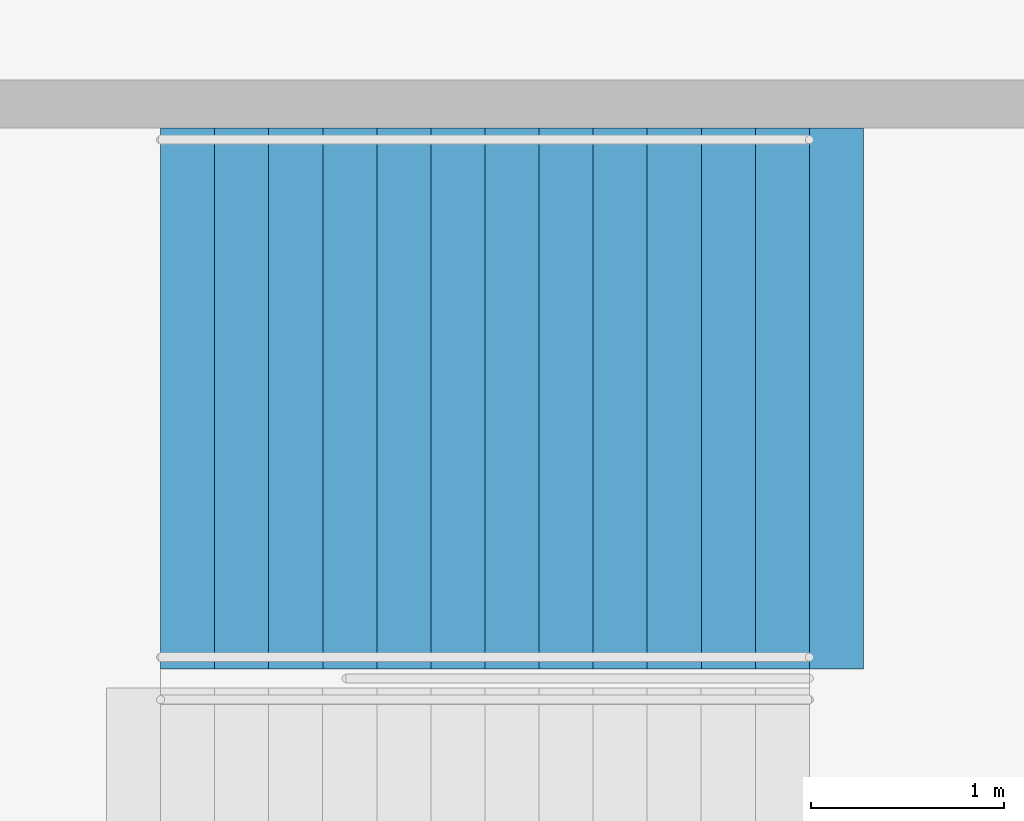
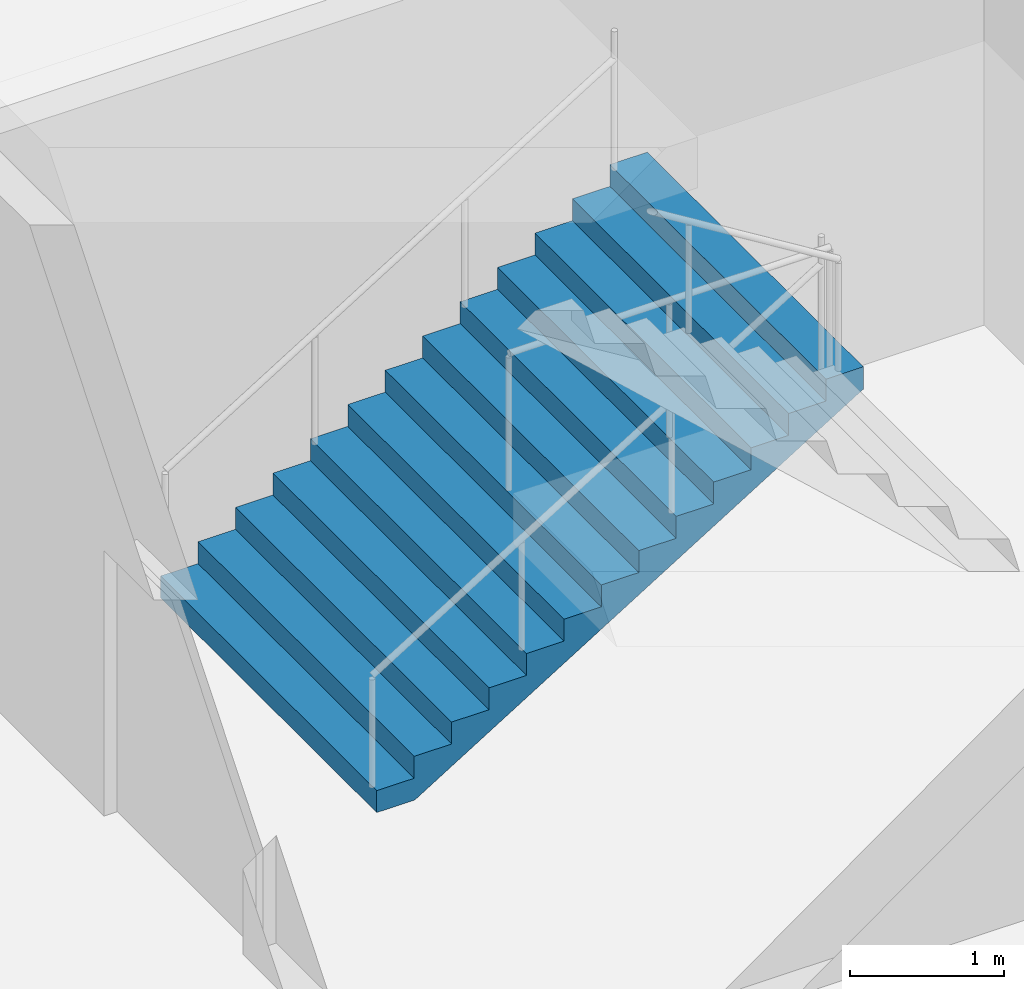
# One storey, part 107 of 175: 1 stair flight, 1 element without a shape of its own.
"""IFC4 building model written with IfcOpenShell, lengths in metres."""

from ifc_helpers import new_model, si_unit, direction, frame, origin, place, context, subcontext, project, spatial, faceted_brep, material, type_object, element, aggregate, save


model = new_model("IFC4")

# Units and contexts
model_context = context("Model", 3, precision=1e-05, world=origin(), true_north=direction((0.0, 1.0)))
body_context = subcontext(model_context, "Body", "Model", "MODEL_VIEW")
ifc_project = project(units=[si_unit("LENGTHUNIT", "METRE"), si_unit("AREAUNIT", "SQUARE_METRE"), si_unit("VOLUMEUNIT", "CUBIC_METRE"), si_unit("PLANEANGLEUNIT", "RADIAN"), si_unit("MASSUNIT", "GRAM", prefix="KILO")], contexts=[model_context])

# Site, building, storey
site_placement = place(None, origin())
site = spatial("IfcSite", under=ifc_project, at=site_placement, CompositionType="ELEMENT")
building_placement = place(site_placement, origin())
building = spatial("IfcBuilding", under=site, at=building_placement, Name="Ogive Plaza Stadium", CompositionType="ELEMENT")
storey_placement = place(building_placement, origin())
storey = spatial("IfcBuildingStorey", under=building, at=storey_placement, Name="L00", CompositionType="ELEMENT", Elevation=0.0)

# Stair, stair flight
ifc_material_1 = material(Name="Concrete C40/50", Category="concrete")
stair_type = type_object("IfcStairType", Name="Exit stair", PredefinedType="STRAIGHT_RUN_STAIR", material=ifc_material_1)
stair_placement = place(storey_placement, origin())
stair = element("IfcStair", 1, at=stair_placement, inside=storey, type_object=stair_type, Name="Exit stair ST04B L00 to L01", PredefinedType="STRAIGHT_RUN_STAIR")
ifc_material_2 = material(Name="Concrete C40/50", Category="concrete")
stair_flight_type = type_object("IfcStairFlightType", Name="Exit stair flight", PredefinedType="STRAIGHT", material=ifc_material_2)
stair_flight_placement = place(storey_placement, frame((76.35009765625, 11.925048828125, 0.0), z_axis=(0.0, 0.0, 1.0), x_axis=(1.0, 0.0, 0.0)))
stair_flight = element("IfcStairFlight", 2, at=stair_flight_placement, type_object=stair_flight_type, Name="ST04B flight 1", NumberOfRisers=13, NumberOfTreads=12, PredefinedType="STRAIGHT", RiserHeight=0.173076923, TreadLength=0.28, context=body_context, shape_type="Brep", body=[
    faceted_brep([(0.28515625, -1.39990234375, 0.0), (3.639892578125, -1.39990234375, 2.07373046875), (3.639892578125, -1.39990234375, 2.25), (3.360107421875, -1.39990234375, 2.25), (3.360107421875, -1.39990234375, 2.076904296875), (3.080078125, -1.39990234375, 2.076904296875), (3.080078125, -1.39990234375, 1.90380859375), (2.800048828125, -1.39990234375, 1.90380859375), (2.800048828125, -1.39990234375, 1.730712890625), (2.52001953125, -1.39990234375, 1.730712890625), (2.52001953125, -1.39990234375, 1.5576171875), (2.239990234375, -1.39990234375, 1.5576171875), (2.239990234375, -1.39990234375, 1.384521484375), (1.9599609375, -1.39990234375, 1.384521484375), (1.9599609375, -1.39990234375, 1.21142578125), (1.679931640625, -1.39990234375, 1.21142578125), (1.679931640625, -1.39990234375, 1.03857421875), (1.39990234375, -1.39990234375, 1.03857421875), (1.39990234375, -1.39990234375, 0.865478515625), (1.1201171875, -1.39990234375, 0.865478515625), (1.1201171875, -1.39990234375, 0.6923828125), (0.840087890625, -1.39990234375, 0.6923828125), (0.840087890625, -1.39990234375, 0.519287109375), (0.56005859375, -1.39990234375, 0.519287109375), (0.56005859375, -1.39990234375, 0.34619140625), (0.280029296875, -1.39990234375, 0.34619140625), (0.280029296875, -1.39990234375, 0.173095703125), (0.0, -1.39990234375, 0.173095703125), (0.0, -1.39990234375, 0.0), (0.0, 1.39990234375, 0.0), (0.0, 1.39990234375, 0.173095703125), (0.280029296875, 1.39990234375, 0.173095703125), (0.280029296875, 1.39990234375, 0.34619140625), (0.56005859375, 1.39990234375, 0.34619140625), (0.56005859375, 1.39990234375, 0.519287109375), (0.840087890625, 1.39990234375, 0.519287109375), (0.840087890625, 1.39990234375, 0.6923828125), (1.1201171875, 1.39990234375, 0.6923828125), (1.1201171875, 1.39990234375, 0.865478515625), (1.39990234375, 1.39990234375, 0.865478515625), (1.39990234375, 1.39990234375, 1.03857421875), (1.679931640625, 1.39990234375, 1.03857421875), (1.679931640625, 1.39990234375, 1.21142578125), (1.9599609375, 1.39990234375, 1.21142578125), (1.9599609375, 1.39990234375, 1.384521484375), (2.239990234375, 1.39990234375, 1.384521484375), (2.239990234375, 1.39990234375, 1.5576171875), (2.52001953125, 1.39990234375, 1.5576171875), (2.52001953125, 1.39990234375, 1.730712890625), (2.800048828125, 1.39990234375, 1.730712890625), (2.800048828125, 1.39990234375, 1.90380859375), (3.080078125, 1.39990234375, 1.90380859375), (3.080078125, 1.39990234375, 2.076904296875), (3.360107421875, 1.39990234375, 2.076904296875), (3.360107421875, 1.39990234375, 2.25), (3.639892578125, 1.39990234375, 2.25), (3.639892578125, 1.39990234375, 2.07373046875), (0.28515625, 1.39990234375, 0.0), (0.28515625, -1.0888671875, 0.0), (3.639892578125, -1.0888671875, 2.07373046875), (0.28515625, -0.77783203125, 0.0), (3.639892578125, -0.77783203125, 2.07373046875), (0.28515625, -0.466796875, 0.0), (3.639892578125, -0.466796875, 2.07373046875), (0.28515625, -0.155517578125, 0.0), (3.639892578125, -0.155517578125, 2.07373046875), (0.28515625, 0.155517578125, 0.0), (3.639892578125, 0.155517578125, 2.07373046875), (0.28515625, 0.466796875, 0.0), (3.639892578125, 0.466796875, 2.07373046875), (0.28515625, 0.77783203125, 0.0), (3.639892578125, 0.77783203125, 2.07373046875), (0.28515625, 1.0888671875, 0.0), (3.639892578125, 1.0888671875, 2.07373046875), (3.639892578125, -1.0888671875, 2.25), (3.639892578125, -0.77783203125, 2.25), (3.639892578125, -0.466796875, 2.25), (3.639892578125, -0.155517578125, 2.25), (3.639892578125, 0.155517578125, 2.25), (3.639892578125, 0.466796875, 2.25), (3.639892578125, 0.77783203125, 2.25), (3.639892578125, 1.0888671875, 2.25), (3.360107421875, -1.0888671875, 2.25), (3.360107421875, -0.77783203125, 2.25), (3.360107421875, -0.466796875, 2.25), (3.360107421875, -0.155517578125, 2.25), (3.360107421875, 0.155517578125, 2.25), (3.360107421875, 0.466796875, 2.25), (3.360107421875, 0.77783203125, 2.25), (3.360107421875, 1.0888671875, 2.25), (3.360107421875, -1.0888671875, 2.076904296875), (3.360107421875, -0.77783203125, 2.076904296875), (3.360107421875, -0.466796875, 2.076904296875), (3.360107421875, -0.155517578125, 2.076904296875), (3.360107421875, 0.155517578125, 2.076904296875), (3.360107421875, 0.466796875, 2.076904296875), (3.360107421875, 0.77783203125, 2.076904296875), (3.360107421875, 1.0888671875, 2.076904296875), (3.080078125, -1.0888671875, 2.076904296875), (3.080078125, -0.77783203125, 2.076904296875), (3.080078125, -0.466796875, 2.076904296875), (3.080078125, -0.155517578125, 2.076904296875), (3.080078125, 0.155517578125, 2.076904296875), (3.080078125, 0.466796875, 2.076904296875), (3.080078125, 0.77783203125, 2.076904296875), (3.080078125, 1.0888671875, 2.076904296875), (3.080078125, -1.0888671875, 1.90380859375), (3.080078125, -0.77783203125, 1.90380859375), (3.080078125, -0.466796875, 1.90380859375), (3.080078125, -0.155517578125, 1.90380859375), (3.080078125, 0.155517578125, 1.90380859375), (3.080078125, 0.466796875, 1.90380859375), (3.080078125, 0.77783203125, 1.90380859375), (3.080078125, 1.0888671875, 1.90380859375), (2.800048828125, -1.0888671875, 1.90380859375), (2.800048828125, -0.77783203125, 1.90380859375), (2.800048828125, -0.466796875, 1.90380859375), (2.800048828125, -0.155517578125, 1.90380859375), (2.800048828125, 0.155517578125, 1.90380859375), (2.800048828125, 0.466796875, 1.90380859375), (2.800048828125, 0.77783203125, 1.90380859375), (2.800048828125, 1.0888671875, 1.90380859375), (2.800048828125, -1.0888671875, 1.730712890625), (2.800048828125, -0.77783203125, 1.730712890625), (2.800048828125, -0.466796875, 1.730712890625), (2.800048828125, -0.155517578125, 1.730712890625), (2.800048828125, 0.155517578125, 1.730712890625), (2.800048828125, 0.466796875, 1.730712890625), (2.800048828125, 0.77783203125, 1.730712890625), (2.800048828125, 1.0888671875, 1.730712890625), (2.52001953125, -1.0888671875, 1.730712890625), (2.52001953125, -0.77783203125, 1.730712890625), (2.52001953125, -0.466796875, 1.730712890625), (2.52001953125, -0.155517578125, 1.730712890625), (2.52001953125, 0.155517578125, 1.730712890625), (2.52001953125, 0.466796875, 1.730712890625), (2.52001953125, 0.77783203125, 1.730712890625), (2.52001953125, 1.0888671875, 1.730712890625), (2.52001953125, -1.0888671875, 1.5576171875), (2.52001953125, -0.77783203125, 1.5576171875), (2.52001953125, -0.466796875, 1.5576171875), (2.52001953125, -0.155517578125, 1.5576171875), (2.52001953125, 0.155517578125, 1.5576171875), (2.52001953125, 0.466796875, 1.5576171875), (2.52001953125, 0.77783203125, 1.5576171875), (2.52001953125, 1.0888671875, 1.5576171875), (2.239990234375, -1.0888671875, 1.5576171875), (2.239990234375, -0.77783203125, 1.5576171875), (2.239990234375, -0.466796875, 1.5576171875), (2.239990234375, -0.155517578125, 1.5576171875), (2.239990234375, 0.155517578125, 1.5576171875), (2.239990234375, 0.466796875, 1.5576171875), (2.239990234375, 0.77783203125, 1.5576171875), (2.239990234375, 1.0888671875, 1.5576171875), (2.239990234375, -1.0888671875, 1.384521484375), (2.239990234375, -0.77783203125, 1.384521484375), (2.239990234375, -0.466796875, 1.384521484375), (2.239990234375, -0.155517578125, 1.384521484375), (2.239990234375, 0.155517578125, 1.384521484375), (2.239990234375, 0.466796875, 1.384521484375), (2.239990234375, 0.77783203125, 1.384521484375), (2.239990234375, 1.0888671875, 1.384521484375), (1.9599609375, -1.0888671875, 1.384521484375), (1.9599609375, -0.77783203125, 1.384521484375), (1.9599609375, -0.466796875, 1.384521484375), (1.9599609375, -0.155517578125, 1.384521484375), (1.9599609375, 0.155517578125, 1.384521484375), (1.9599609375, 0.466796875, 1.384521484375), (1.9599609375, 0.77783203125, 1.384521484375), (1.9599609375, 1.0888671875, 1.384521484375), (1.9599609375, -1.0888671875, 1.21142578125), (1.9599609375, -0.77783203125, 1.21142578125), (1.9599609375, -0.466796875, 1.21142578125), (1.9599609375, -0.155517578125, 1.21142578125), (1.9599609375, 0.155517578125, 1.21142578125), (1.9599609375, 0.466796875, 1.21142578125), (1.9599609375, 0.77783203125, 1.21142578125), (1.9599609375, 1.0888671875, 1.21142578125), (1.679931640625, -1.0888671875, 1.21142578125), (1.679931640625, -0.77783203125, 1.21142578125), (1.679931640625, -0.466796875, 1.21142578125), (1.679931640625, -0.155517578125, 1.21142578125), (1.679931640625, 0.155517578125, 1.21142578125), (1.679931640625, 0.466796875, 1.21142578125), (1.679931640625, 0.77783203125, 1.21142578125), (1.679931640625, 1.0888671875, 1.21142578125), (1.679931640625, -1.0888671875, 1.03857421875), (1.679931640625, -0.77783203125, 1.03857421875), (1.679931640625, -0.466796875, 1.03857421875), (1.679931640625, -0.155517578125, 1.03857421875), (1.679931640625, 0.155517578125, 1.03857421875), (1.679931640625, 0.466796875, 1.03857421875), (1.679931640625, 0.77783203125, 1.03857421875), (1.679931640625, 1.0888671875, 1.03857421875), (1.39990234375, -1.0888671875, 1.03857421875), (1.39990234375, -0.77783203125, 1.03857421875), (1.39990234375, -0.466796875, 1.03857421875), (1.39990234375, -0.155517578125, 1.03857421875), (1.39990234375, 0.155517578125, 1.03857421875), (1.39990234375, 0.466796875, 1.03857421875), (1.39990234375, 0.77783203125, 1.03857421875), (1.39990234375, 1.0888671875, 1.03857421875), (1.39990234375, -1.0888671875, 0.865478515625), (1.39990234375, -0.77783203125, 0.865478515625), (1.39990234375, -0.466796875, 0.865478515625), (1.39990234375, -0.155517578125, 0.865478515625), (1.39990234375, 0.155517578125, 0.865478515625), (1.39990234375, 0.466796875, 0.865478515625), (1.39990234375, 0.77783203125, 0.865478515625), (1.39990234375, 1.0888671875, 0.865478515625), (1.1201171875, -1.0888671875, 0.865478515625), (1.1201171875, -0.77783203125, 0.865478515625), (1.1201171875, -0.466796875, 0.865478515625), (1.1201171875, -0.155517578125, 0.865478515625), (1.1201171875, 0.155517578125, 0.865478515625), (1.1201171875, 0.466796875, 0.865478515625), (1.1201171875, 0.77783203125, 0.865478515625), (1.1201171875, 1.0888671875, 0.865478515625), (1.1201171875, -1.0888671875, 0.6923828125), (1.1201171875, -0.77783203125, 0.6923828125), (1.1201171875, -0.466796875, 0.6923828125), (1.1201171875, -0.155517578125, 0.6923828125), (1.1201171875, 0.155517578125, 0.6923828125), (1.1201171875, 0.466796875, 0.6923828125), (1.1201171875, 0.77783203125, 0.6923828125), (1.1201171875, 1.0888671875, 0.6923828125), (0.840087890625, -1.0888671875, 0.6923828125), (0.840087890625, -0.77783203125, 0.6923828125), (0.840087890625, -0.466796875, 0.6923828125), (0.840087890625, -0.155517578125, 0.6923828125), (0.840087890625, 0.155517578125, 0.6923828125), (0.840087890625, 0.466796875, 0.6923828125), (0.840087890625, 0.77783203125, 0.6923828125), (0.840087890625, 1.0888671875, 0.6923828125), (0.840087890625, -1.0888671875, 0.519287109375), (0.840087890625, -0.77783203125, 0.519287109375), (0.840087890625, -0.466796875, 0.519287109375), (0.840087890625, -0.155517578125, 0.519287109375), (0.840087890625, 0.155517578125, 0.519287109375), (0.840087890625, 0.466796875, 0.519287109375), (0.840087890625, 0.77783203125, 0.519287109375), (0.840087890625, 1.0888671875, 0.519287109375), (0.56005859375, -1.0888671875, 0.519287109375), (0.56005859375, -0.77783203125, 0.519287109375), (0.56005859375, -0.466796875, 0.519287109375), (0.56005859375, -0.155517578125, 0.519287109375), (0.56005859375, 0.155517578125, 0.519287109375), (0.56005859375, 0.466796875, 0.519287109375), (0.56005859375, 0.77783203125, 0.519287109375), (0.56005859375, 1.0888671875, 0.519287109375), (0.56005859375, -1.0888671875, 0.34619140625), (0.56005859375, -0.77783203125, 0.34619140625), (0.56005859375, -0.466796875, 0.34619140625), (0.56005859375, -0.155517578125, 0.34619140625), (0.56005859375, 0.155517578125, 0.34619140625), (0.56005859375, 0.466796875, 0.34619140625), (0.56005859375, 0.77783203125, 0.34619140625), (0.56005859375, 1.0888671875, 0.34619140625), (0.280029296875, -1.0888671875, 0.34619140625), (0.280029296875, -0.77783203125, 0.34619140625), (0.280029296875, -0.466796875, 0.34619140625), (0.280029296875, -0.155517578125, 0.34619140625), (0.280029296875, 0.155517578125, 0.34619140625), (0.280029296875, 0.466796875, 0.34619140625), (0.280029296875, 0.77783203125, 0.34619140625), (0.280029296875, 1.0888671875, 0.34619140625), (0.280029296875, -1.0888671875, 0.173095703125), (0.280029296875, -0.77783203125, 0.173095703125), (0.280029296875, -0.466796875, 0.173095703125), (0.280029296875, -0.155517578125, 0.173095703125), (0.280029296875, 0.155517578125, 0.173095703125), (0.280029296875, 0.466796875, 0.173095703125), (0.280029296875, 0.77783203125, 0.173095703125), (0.280029296875, 1.0888671875, 0.173095703125), (0.0, -1.0888671875, 0.173095703125), (0.0, -0.77783203125, 0.173095703125), (0.0, -0.466796875, 0.173095703125), (0.0, -0.155517578125, 0.173095703125), (0.0, 0.155517578125, 0.173095703125), (0.0, 0.466796875, 0.173095703125), (0.0, 0.77783203125, 0.173095703125), (0.0, 1.0888671875, 0.173095703125), (0.0, -1.0888671875, 0.0), (0.0, -0.77783203125, 0.0), (0.0, -0.466796875, 0.0), (0.0, -0.155517578125, 0.0), (0.0, 0.155517578125, 0.0), (0.0, 0.466796875, 0.0), (0.0, 0.77783203125, 0.0), (0.0, 1.0888671875, 0.0)], [[[0, 1, 2, 3, 4, 5, 6, 7, 8, 9, 10, 11, 12, 13, 14, 15, 16, 17, 18, 19, 20, 21, 22, 23, 24, 25, 26, 27, 28]], [[29, 30, 31, 32, 33, 34, 35, 36, 37, 38, 39, 40, 41, 42, 43, 44, 45, 46, 47, 48, 49, 50, 51, 52, 53, 54, 55, 56, 57]], [[0, 58, 59, 1]], [[58, 60, 61, 59]], [[60, 62, 63, 61]], [[62, 64, 65, 63]], [[64, 66, 67, 65]], [[66, 68, 69, 67]], [[68, 70, 71, 69]], [[70, 72, 73, 71]], [[72, 57, 56, 73]], [[1, 59, 74, 2]], [[59, 61, 75, 74]], [[61, 63, 76, 75]], [[63, 65, 77, 76]], [[65, 67, 78, 77]], [[67, 69, 79, 78]], [[69, 71, 80, 79]], [[71, 73, 81, 80]], [[73, 56, 55, 81]], [[2, 74, 82, 3]], [[74, 75, 83, 82]], [[75, 76, 84, 83]], [[76, 77, 85, 84]], [[77, 78, 86, 85]], [[78, 79, 87, 86]], [[79, 80, 88, 87]], [[80, 81, 89, 88]], [[81, 55, 54, 89]], [[3, 82, 90, 4]], [[82, 83, 91, 90]], [[83, 84, 92, 91]], [[84, 85, 93, 92]], [[85, 86, 94, 93]], [[86, 87, 95, 94]], [[87, 88, 96, 95]], [[88, 89, 97, 96]], [[89, 54, 53, 97]], [[4, 90, 98, 5]], [[90, 91, 99, 98]], [[91, 92, 100, 99]], [[92, 93, 101, 100]], [[93, 94, 102, 101]], [[94, 95, 103, 102]], [[95, 96, 104, 103]], [[96, 97, 105, 104]], [[97, 53, 52, 105]], [[5, 98, 106, 6]], [[98, 99, 107, 106]], [[99, 100, 108, 107]], [[100, 101, 109, 108]], [[101, 102, 110, 109]], [[102, 103, 111, 110]], [[103, 104, 112, 111]], [[104, 105, 113, 112]], [[105, 52, 51, 113]], [[6, 106, 114, 7]], [[106, 107, 115, 114]], [[107, 108, 116, 115]], [[108, 109, 117, 116]], [[109, 110, 118, 117]], [[110, 111, 119, 118]], [[111, 112, 120, 119]], [[112, 113, 121, 120]], [[113, 51, 50, 121]], [[7, 114, 122, 8]], [[114, 115, 123, 122]], [[115, 116, 124, 123]], [[116, 117, 125, 124]], [[117, 118, 126, 125]], [[118, 119, 127, 126]], [[119, 120, 128, 127]], [[120, 121, 129, 128]], [[121, 50, 49, 129]], [[8, 122, 130, 9]], [[122, 123, 131, 130]], [[123, 124, 132, 131]], [[124, 125, 133, 132]], [[125, 126, 134, 133]], [[126, 127, 135, 134]], [[127, 128, 136, 135]], [[128, 129, 137, 136]], [[129, 49, 48, 137]], [[9, 130, 138, 10]], [[130, 131, 139, 138]], [[131, 132, 140, 139]], [[132, 133, 141, 140]], [[133, 134, 142, 141]], [[134, 135, 143, 142]], [[135, 136, 144, 143]], [[136, 137, 145, 144]], [[137, 48, 47, 145]], [[10, 138, 146, 11]], [[138, 139, 147, 146]], [[139, 140, 148, 147]], [[140, 141, 149, 148]], [[141, 142, 150, 149]], [[142, 143, 151, 150]], [[143, 144, 152, 151]], [[144, 145, 153, 152]], [[145, 47, 46, 153]], [[11, 146, 154, 12]], [[146, 147, 155, 154]], [[147, 148, 156, 155]], [[148, 149, 157, 156]], [[149, 150, 158, 157]], [[150, 151, 159, 158]], [[151, 152, 160, 159]], [[152, 153, 161, 160]], [[153, 46, 45, 161]], [[12, 154, 162, 13]], [[154, 155, 163, 162]], [[155, 156, 164, 163]], [[156, 157, 165, 164]], [[157, 158, 166, 165]], [[158, 159, 167, 166]], [[159, 160, 168, 167]], [[160, 161, 169, 168]], [[161, 45, 44, 169]], [[13, 162, 170, 14]], [[162, 163, 171, 170]], [[163, 164, 172, 171]], [[164, 165, 173, 172]], [[165, 166, 174, 173]], [[166, 167, 175, 174]], [[167, 168, 176, 175]], [[168, 169, 177, 176]], [[169, 44, 43, 177]], [[14, 170, 178, 15]], [[170, 171, 179, 178]], [[171, 172, 180, 179]], [[172, 173, 181, 180]], [[173, 174, 182, 181]], [[174, 175, 183, 182]], [[175, 176, 184, 183]], [[176, 177, 185, 184]], [[177, 43, 42, 185]], [[15, 178, 186, 16]], [[178, 179, 187, 186]], [[179, 180, 188, 187]], [[180, 181, 189, 188]], [[181, 182, 190, 189]], [[182, 183, 191, 190]], [[183, 184, 192, 191]], [[184, 185, 193, 192]], [[185, 42, 41, 193]], [[16, 186, 194, 17]], [[186, 187, 195, 194]], [[187, 188, 196, 195]], [[188, 189, 197, 196]], [[189, 190, 198, 197]], [[190, 191, 199, 198]], [[191, 192, 200, 199]], [[192, 193, 201, 200]], [[193, 41, 40, 201]], [[17, 194, 202, 18]], [[194, 195, 203, 202]], [[195, 196, 204, 203]], [[196, 197, 205, 204]], [[197, 198, 206, 205]], [[198, 199, 207, 206]], [[199, 200, 208, 207]], [[200, 201, 209, 208]], [[201, 40, 39, 209]], [[18, 202, 210, 19]], [[202, 203, 211, 210]], [[203, 204, 212, 211]], [[204, 205, 213, 212]], [[205, 206, 214, 213]], [[206, 207, 215, 214]], [[207, 208, 216, 215]], [[208, 209, 217, 216]], [[209, 39, 38, 217]], [[19, 210, 218, 20]], [[210, 211, 219, 218]], [[211, 212, 220, 219]], [[212, 213, 221, 220]], [[213, 214, 222, 221]], [[214, 215, 223, 222]], [[215, 216, 224, 223]], [[216, 217, 225, 224]], [[217, 38, 37, 225]], [[20, 218, 226, 21]], [[218, 219, 227, 226]], [[219, 220, 228, 227]], [[220, 221, 229, 228]], [[221, 222, 230, 229]], [[222, 223, 231, 230]], [[223, 224, 232, 231]], [[224, 225, 233, 232]], [[225, 37, 36, 233]], [[21, 226, 234, 22]], [[226, 227, 235, 234]], [[227, 228, 236, 235]], [[228, 229, 237, 236]], [[229, 230, 238, 237]], [[230, 231, 239, 238]], [[231, 232, 240, 239]], [[232, 233, 241, 240]], [[233, 36, 35, 241]], [[22, 234, 242, 23]], [[234, 235, 243, 242]], [[235, 236, 244, 243]], [[236, 237, 245, 244]], [[237, 238, 246, 245]], [[238, 239, 247, 246]], [[239, 240, 248, 247]], [[240, 241, 249, 248]], [[241, 35, 34, 249]], [[23, 242, 250, 24]], [[242, 243, 251, 250]], [[243, 244, 252, 251]], [[244, 245, 253, 252]], [[245, 246, 254, 253]], [[246, 247, 255, 254]], [[247, 248, 256, 255]], [[248, 249, 257, 256]], [[249, 34, 33, 257]], [[24, 250, 258, 25]], [[250, 251, 259, 258]], [[251, 252, 260, 259]], [[252, 253, 261, 260]], [[253, 254, 262, 261]], [[254, 255, 263, 262]], [[255, 256, 264, 263]], [[256, 257, 265, 264]], [[257, 33, 32, 265]], [[25, 258, 266, 26]], [[258, 259, 267, 266]], [[259, 260, 268, 267]], [[260, 261, 269, 268]], [[261, 262, 270, 269]], [[262, 263, 271, 270]], [[263, 264, 272, 271]], [[264, 265, 273, 272]], [[265, 32, 31, 273]], [[26, 266, 274, 27]], [[266, 267, 275, 274]], [[267, 268, 276, 275]], [[268, 269, 277, 276]], [[269, 270, 278, 277]], [[270, 271, 279, 278]], [[271, 272, 280, 279]], [[272, 273, 281, 280]], [[273, 31, 30, 281]], [[27, 274, 282, 28]], [[274, 275, 283, 282]], [[275, 276, 284, 283]], [[276, 277, 285, 284]], [[277, 278, 286, 285]], [[278, 279, 287, 286]], [[279, 280, 288, 287]], [[280, 281, 289, 288]], [[281, 30, 29, 289]], [[28, 282, 58, 0]], [[282, 283, 60, 58]], [[283, 284, 62, 60]], [[284, 285, 64, 62]], [[285, 286, 66, 64]], [[286, 287, 68, 66]], [[287, 288, 70, 68]], [[288, 289, 72, 70]], [[289, 29, 57, 72]]]),
])
aggregate(stair, [stair_flight])

save(model, "model.ifc")
